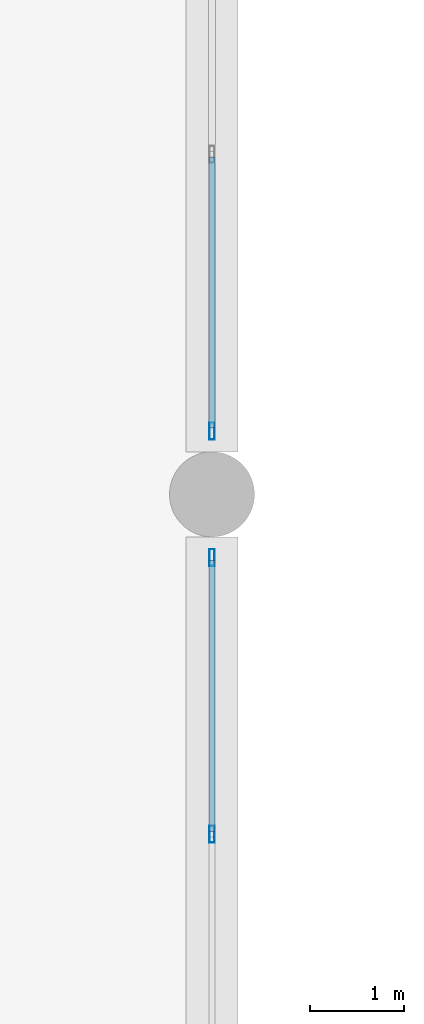
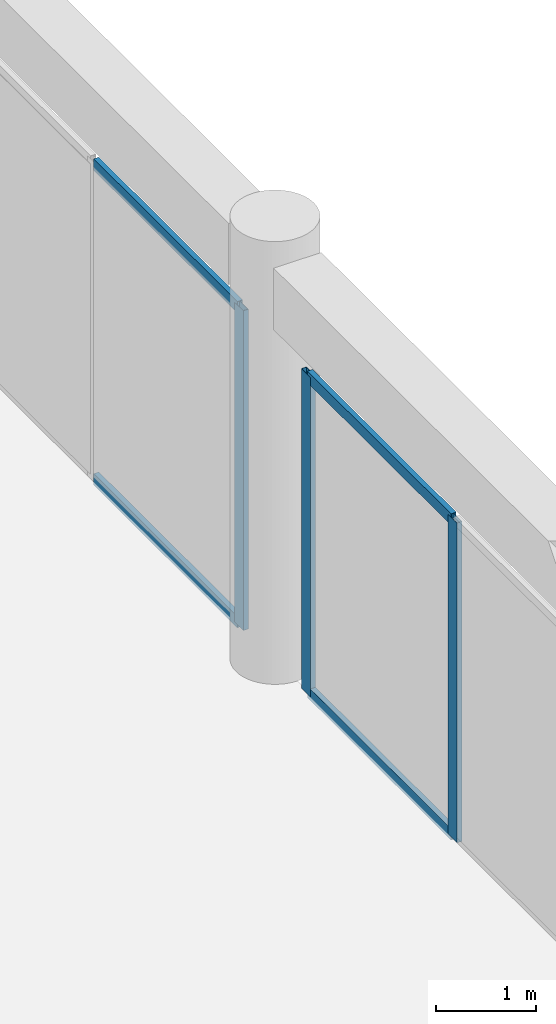
# One storey, part 19 of 56: 7 members, 2 elements without a shape of their own.
"""IFC4 building model written with IfcOpenShell, lengths in metres."""

from ifc_helpers import new_model, si_unit, direction, frame, origin, origin_2d, place, context, subcontext, project, spatial, hollow_rectangle, extrude, material, material_profile, profile_set, type_object, element, aggregate, save


model = new_model("IFC4")

# Units and contexts
model_context = context("Model", 3, precision=1e-05, world=origin(), true_north=direction((0.0, 1.0)))
body_context = subcontext(model_context, "Body", "Model", "MODEL_VIEW")
ifc_project = project(units=[si_unit("LENGTHUNIT", "METRE"), si_unit("AREAUNIT", "SQUARE_METRE"), si_unit("VOLUMEUNIT", "CUBIC_METRE"), si_unit("PLANEANGLEUNIT", "RADIAN"), si_unit("MASSUNIT", "GRAM", prefix="KILO")], contexts=[model_context])

# Site, building, storey
site_placement = place(None, origin())
site = spatial("IfcSite", under=ifc_project, at=site_placement, CompositionType="ELEMENT")
building_placement = place(site_placement, origin())
building = spatial("IfcBuilding", under=site, at=building_placement, Name="Kazehaya Institute of Natural Sciences", CompositionType="ELEMENT")
storey_placement = place(building_placement, origin())
storey = spatial("IfcBuildingStorey", under=building, at=storey_placement, Name="L00", CompositionType="ELEMENT", Elevation=0.0)

# Curtain wall, members
ifc_material = material(Name="Aluminium alloy A6063S-T5", Category="aluminium")
curtain_wall_type = type_object("IfcCurtainWallType", Name="CW-SYS-01", PredefinedType="NOTDEFINED", material=ifc_material)
curtain_wall_1_placement = place(storey_placement, origin())
curtain_wall_1 = element("IfcCurtainWall", 1, at=curtain_wall_1_placement, inside=storey, type_object=curtain_wall_type, Name="L00 unitised curtain wall CW-L00-012", PredefinedType="NOTDEFINED")
ifc_material_profile_1 = material_profile(ifc_material, hollow_rectangle(XDim=0.06005859375, YDim=0.179931640625, WallThickness=0.00390625, at=origin_2d()), Name="ALU-60x180x4")
ifc_profile_set_1 = profile_set([ifc_material_profile_1], Name="Aluminium alloy A6063S-T5")
member_type_1 = type_object("IfcMemberType", Name="CWM-180", PredefinedType="MULLION", material=ifc_profile_set_1)
member_1_placement = place(storey_placement, frame((112.199951171875, 56.530029296875, 0.0), z_axis=(0.0, 0.0, 1.0), x_axis=(1.0, 0.0, 0.0)))
member_1 = element("IfcMember", 2, at=member_1_placement, type_object=member_type_1, Name="CW01 mullion 1", PredefinedType="MULLION", context=body_context, shape_type="SweptSolid", body=[
    extrude(hollow_rectangle(XDim=0.06005859375, YDim=0.179931640625, WallThickness=0.00390625, at=origin_2d()), origin(), (0.0, 0.0, 1.0), 3.89990234375),
])
member_2_placement = place(storey_placement, frame((112.199951171875, 53.60009765625, 0.0), z_axis=(0.0, 0.0, 1.0), x_axis=(1.0, 0.0, 0.0)))
member_2 = element("IfcMember", 3, at=member_2_placement, type_object=member_type_1, Name="CW01 mullion 2", PredefinedType="MULLION", context=body_context, shape_type="SweptSolid", body=[
    extrude(hollow_rectangle(XDim=0.06005859375, YDim=0.179931640625, WallThickness=0.00390625, at=origin_2d()), origin(), (0.0, 0.0, 1.0), 3.89990234375),
])

# Curtain wall, member
curtain_wall_2_placement = place(storey_placement, origin())
curtain_wall_2 = element("IfcCurtainWall", 4, at=curtain_wall_2_placement, inside=storey, type_object=curtain_wall_type, Name="L00 unitised curtain wall CW-L00-014", PredefinedType="NOTDEFINED")
member_3_placement = place(storey_placement, frame((112.199951171875, 57.8701171875, 0.0), z_axis=(0.0, 0.0, 1.0), x_axis=(1.0, 0.0, 0.0)))
member_3 = element("IfcMember", 5, at=member_3_placement, type_object=member_type_1, Name="CW01 mullion 3", PredefinedType="MULLION", context=body_context, shape_type="SweptSolid", body=[
    extrude(hollow_rectangle(XDim=0.06005859375, YDim=0.179931640625, WallThickness=0.00390625, at=origin_2d()), origin(), (0.0, 0.0, 1.0), 3.89990234375),
])

# Member
ifc_material_profile_2 = material_profile(ifc_material, hollow_rectangle(XDim=0.06005859375, YDim=0.139892578125, WallThickness=0.00341796875, at=origin_2d()), Name="ALU-60x140x3.5")
ifc_profile_set_2 = profile_set([ifc_material_profile_2], Name="Aluminium alloy A6063S-T5")
member_type_2 = type_object("IfcMemberType", Name="CWT-140", PredefinedType="USERDEFINED", material=ifc_profile_set_2)
member_4_placement = place(storey_placement, frame((112.199951171875, 56.5, 0.030029296875), z_axis=(0.0, -1.0, 0.0), x_axis=(1.0, 0.0, 0.0)))
member_4 = element("IfcMember", 6, at=member_4_placement, type_object=member_type_2, Name="CW01 transom 1.1", ObjectType="TRANSOM", PredefinedType="USERDEFINED", context=body_context, shape_type="SweptSolid", body=[
    extrude(hollow_rectangle(XDim=0.06005859375, YDim=0.139892578125, WallThickness=0.00341796875, at=origin_2d()), origin(), (0.0, 0.0, 1.0), 2.8701171875),
])

member_5_placement = place(storey_placement, frame((112.199951171875, 56.5, 3.8701171875), z_axis=(0.0, -1.0, 0.0), x_axis=(1.0, 0.0, 0.0)))
member_5 = element("IfcMember", 7, at=member_5_placement, type_object=member_type_2, Name="CW01 transom 1.2", ObjectType="TRANSOM", PredefinedType="USERDEFINED", context=body_context, shape_type="SweptSolid", body=[
    extrude(hollow_rectangle(XDim=0.06005859375, YDim=0.139892578125, WallThickness=0.00341796875, at=origin_2d()), origin(), (0.0, 0.0, 1.0), 2.8701171875),
])

aggregate(curtain_wall_1, [member_1, member_2, member_4, member_5])

member_6_placement = place(storey_placement, frame((112.199951171875, 60.77001953125, 0.030029296875), z_axis=(0.0, -1.0, 0.0), x_axis=(1.0, 0.0, 0.0)))
member_6 = element("IfcMember", 8, at=member_6_placement, type_object=member_type_2, Name="CW01 transom 2.1", ObjectType="TRANSOM", PredefinedType="USERDEFINED", context=body_context, shape_type="SweptSolid", body=[
    extrude(hollow_rectangle(XDim=0.06005859375, YDim=0.139892578125, WallThickness=0.00341796875, at=origin_2d()), origin(), (0.0, 0.0, 1.0), 2.8701171875),
])

member_7_placement = place(storey_placement, frame((112.199951171875, 60.77001953125, 3.8701171875), z_axis=(0.0, -1.0, 0.0), x_axis=(1.0, 0.0, 0.0)))
member_7 = element("IfcMember", 9, at=member_7_placement, type_object=member_type_2, Name="CW01 transom 2.2", ObjectType="TRANSOM", PredefinedType="USERDEFINED", context=body_context, shape_type="SweptSolid", body=[
    extrude(hollow_rectangle(XDim=0.06005859375, YDim=0.139892578125, WallThickness=0.00341796875, at=origin_2d()), origin(), (0.0, 0.0, 1.0), 2.8701171875),
])

aggregate(curtain_wall_2, [member_3, member_6, member_7])

save(model, "model.ifc")
